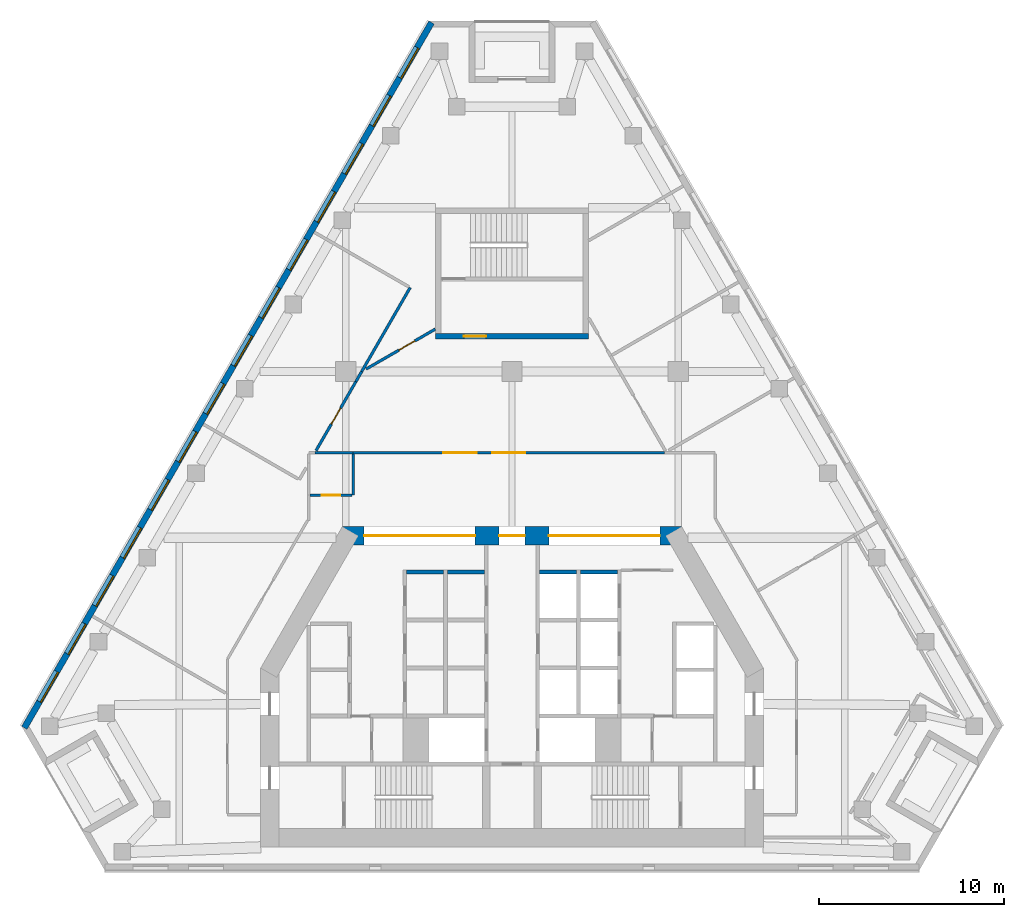
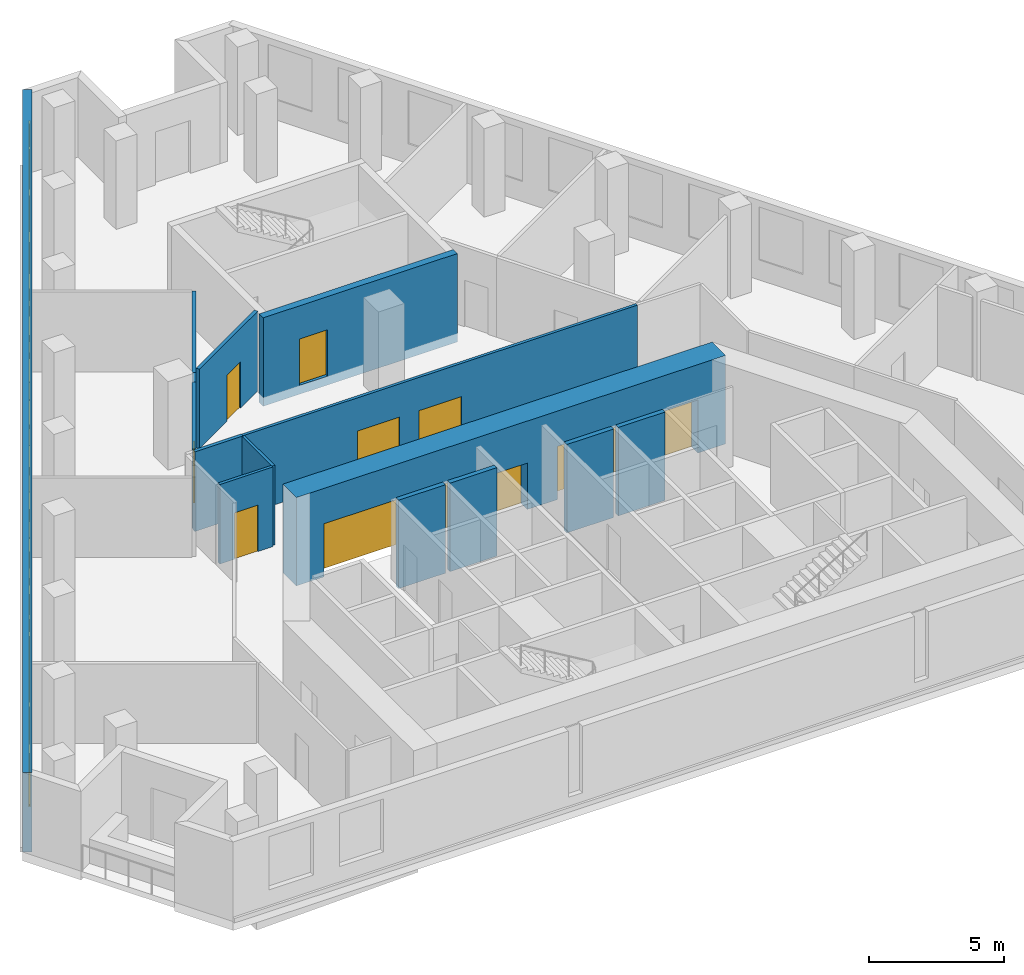
# One storey, part 4 of 8: 15 walls, 14 windows, 9 doors, 23 openings.
"""IFC4 building model written with IfcOpenShell, lengths in metres."""

from ifc_helpers import new_model, si_unit, direction, frame, frame_2d, origin, place, context, subcontext, project, spatial, rectangle, extrude, material, layer, layer_set, type_object, element, fill, save


model = new_model("IFC4")

# Units and contexts
model_context = context("Model", 3, precision=1e-05, world=origin(), true_north=direction((0.0, 1.0)))
body_context = subcontext(model_context, "Body", "Model", "MODEL_VIEW")
ifc_project = project(units=[si_unit("LENGTHUNIT", "METRE"), si_unit("AREAUNIT", "SQUARE_METRE"), si_unit("VOLUMEUNIT", "CUBIC_METRE"), si_unit("PLANEANGLEUNIT", "RADIAN"), si_unit("MASSUNIT", "GRAM", prefix="KILO")], contexts=[model_context])

# Site, building, storey
site_placement = place(None, origin())
site = spatial("IfcSite", under=ifc_project, at=site_placement, CompositionType="ELEMENT")
building_placement = place(site_placement, origin())
building = spatial("IfcBuilding", under=site, at=building_placement, Name="Fogline Exchange Tower", CompositionType="ELEMENT")
storey_placement = place(building_placement, frame((0.0, 0.0, 235.5)))
storey = spatial("IfcBuildingStorey", under=building, at=storey_placement, Name="L53", CompositionType="ELEMENT", Elevation=235.5)

# Walls
ifc_material_1 = material(Name="Concrete C40", Category="concrete")
ifc_layer_1 = layer(ifc_material_1, 0.199951171875)
ifc_layer_set_1 = layer_set([ifc_layer_1], Name="CW20S")
wall_type_1 = type_object("IfcWallType", Name="CW20S", PredefinedType="SOLIDWALL", material=ifc_layer_set_1)
for number, where, z_axis, x_axis, name in (
    (1, (-5.699951171875, 16.14990234375, -0.39990234375), (0.0, 0.0, 1.0), (1.0, 0.0, 0.0), "Lift shaft wall"),
    (2, (-3.5, 16.14990234375, -0.39990234375), (0.0, 0.0, 1.0), (1.0, 0.0, 0.0), "Lift shaft wall"),
    (3, (3.699951171875, 16.14990234375, -0.39990234375), (0.0, 0.0, 1.0), (1.0, 0.0, 0.0), "Lift shaft wall"),
    (4, (1.5, 16.14990234375, -0.39990234375), (0.0, 0.0, 1.0), (1.0, 0.0, 0.0), "Lift shaft wall"),
):
    element("IfcWall", number, at=place(storey_placement, frame(where, z_axis=z_axis, x_axis=x_axis)), inside=storey, type_object=wall_type_1, Name=name, PredefinedType="SOLIDWALL", context=body_context, shape_type="SweptSolid", body=[
        extrude(rectangle(XDim=2.0, YDim=0.199951171875, at=frame_2d((1.0, 0.0))), origin(), (0.0, 0.0, 1.0), 4.0),
    ])

# Wall, opening, door
ifc_layer_2 = layer(ifc_material_1, 0.300048828125)
ifc_layer_set_2 = layer_set([ifc_layer_2], Name="CW30")
wall_type_2 = type_object("IfcWallType", Name="CW30", PredefinedType="SOLIDWALL", material=ifc_layer_set_2)
wall_1_placement = place(storey_placement, frame((-4.14990234375, 28.906982421875, -0.39990234375), z_axis=(0.0, 0.0, 1.0), x_axis=(1.0, 0.0, 0.0)))
wall_1 = element("IfcWall", 5, at=wall_1_placement, inside=storey, type_object=wall_type_2, Name="Stair enclosure wall ST3", PredefinedType="SOLIDWALL", context=body_context, shape_type="SweptSolid", body=[
    extrude(rectangle(XDim=8.2998046875, YDim=0.300048828125, at=frame_2d((4.14990234375, 0.0))), origin(), (0.0, 0.0, 1.0), 4.0),
])
opening_1_placement = place(wall_1_placement, frame((1.550048828125, 0.0, 0.39990234375)))
opening_1 = element("IfcOpeningElement", 6, at=opening_1_placement, cuts=wall_1, Name="Opening T17-C025", PredefinedType="OPENING", context=body_context, shape_type="SweptSolid", body=[
    extrude(rectangle(XDim=1.199951171875, YDim=2.10009765625, at=frame_2d((0.60009765625, 1.050048828125))), frame((0.0, 0.16015625, 0.0), z_axis=(0.0, -1.0, 0.0), x_axis=(1.0, 0.0, 0.0)), (0.0, 0.0, 1.0), 0.320068359375),
])
ifc_material_2 = material(Name="Steel and timber fire door", Category="steel")
door_type_1 = type_object("IfcDoorType", Name="D-FR1", OperationType="SINGLE_SWING_RIGHT", PredefinedType="DOOR", material=ifc_material_2)
door_1_placement = place(opening_1_placement, origin())
door_1 = element("IfcDoor", 7, at=door_1_placement, inside=storey, type_object=door_type_1, Name="Front room door ST3", OperationType="SINGLE_SWING_LEFT", OverallHeight=2.10009765625, OverallWidth=1.199951171875, PredefinedType="DOOR", context=body_context, shape_type="SweptSolid", body=[
    extrude(rectangle(XDim=1.199951171875, YDim=2.10009765625, at=frame_2d((0.60009765625, 1.050048828125))), frame((0.0, 0.02490234375, 0.0), z_axis=(0.0, -1.0, 0.0), x_axis=(1.0, 0.0, 0.0)), (0.0, 0.0, 1.0), 0.050048828125),
])
fill(opening_1, door_1)

# Wall, openings, windows
ifc_material_3 = material(Name="Brick masonry", Category="masonry")
ifc_layer_3 = layer(ifc_material_3, 0.340087890625)
ifc_layer_set_3 = layer_set([ifc_layer_3], Name="FW1")
wall_type_3 = type_object("IfcWallType", Name="FW1", PredefinedType="SOLIDWALL", material=ifc_layer_set_3)
wall_2_placement = place(storey_placement, frame((-4.352783203125, 45.88671875, 0.0), z_axis=(0.0, 0.0, 1.0), x_axis=(-0.499999383836, -0.866025759527, 0.0)))
wall_2 = element("IfcWall", 8, at=wall_2_placement, inside=storey, type_object=wall_type_3, Name="Brick wall L53 W", PredefinedType="SOLIDWALL", context=body_context, shape_type="SweptSolid", body=[
    extrude(rectangle(XDim=44.08349609375, YDim=0.340087890625, at=frame_2d((22.041748046875, 0.0))), origin(), (0.0, 0.0, 1.0), 3.60009765625),
])
opening_2_placement = place(wall_2_placement, frame((1.5625, 0.0, 0.89990234375)))
opening_2 = element("IfcOpeningElement", 9, at=opening_2_placement, cuts=wall_2, Name="Opening W1", PredefinedType="OPENING", context=body_context, shape_type="SweptSolid", body=[
    extrude(rectangle(XDim=1.885009765625, YDim=2.39990234375, at=frame_2d((0.9423828125, 1.199951171875))), frame((0.0, 0.18017578125, 0.0), z_axis=(0.0, -1.0, 0.0), x_axis=(1.0, 0.0, 0.0)), (0.0, 0.0, 1.0), 0.360107421875),
])
opening_3_placement = place(wall_2_placement, frame((4.5625, 0.0, 0.89990234375)))
opening_3 = element("IfcOpeningElement", 10, at=opening_3_placement, cuts=wall_2, Name="Opening W1", PredefinedType="OPENING", context=body_context, shape_type="SweptSolid", body=[
    extrude(rectangle(XDim=1.885009765625, YDim=2.39990234375, at=frame_2d((0.9423828125, 1.199951171875))), frame((0.0, 0.18017578125, 0.0), z_axis=(0.0, -1.0, 0.0), x_axis=(1.0, 0.0, 0.0)), (0.0, 0.0, 1.0), 0.360107421875),
])
opening_4_placement = place(wall_2_placement, frame((7.5625, 0.0, 0.89990234375)))
opening_4 = element("IfcOpeningElement", 11, at=opening_4_placement, cuts=wall_2, Name="Opening W1", PredefinedType="OPENING", context=body_context, shape_type="SweptSolid", body=[
    extrude(rectangle(XDim=1.885009765625, YDim=2.39990234375, at=frame_2d((0.9423828125, 1.199951171875))), frame((0.0, 0.18017578125, 0.0), z_axis=(0.0, -1.0, 0.0), x_axis=(1.0, 0.0, 0.0)), (0.0, 0.0, 1.0), 0.360107421875),
])
opening_5_placement = place(wall_2_placement, frame((10.5625, 0.0, 0.89990234375)))
opening_5 = element("IfcOpeningElement", 12, at=opening_5_placement, cuts=wall_2, Name="Opening W1", PredefinedType="OPENING", context=body_context, shape_type="SweptSolid", body=[
    extrude(rectangle(XDim=1.885009765625, YDim=2.39990234375, at=frame_2d((0.9423828125, 1.199951171875))), frame((0.0, 0.18017578125, 0.0), z_axis=(0.0, -1.0, 0.0), x_axis=(1.0, 0.0, 0.0)), (0.0, 0.0, 1.0), 0.360107421875),
])
opening_6_placement = place(wall_2_placement, frame((13.5625, 0.0, 0.89990234375)))
opening_6 = element("IfcOpeningElement", 13, at=opening_6_placement, cuts=wall_2, Name="Opening W1", PredefinedType="OPENING", context=body_context, shape_type="SweptSolid", body=[
    extrude(rectangle(XDim=1.885009765625, YDim=2.39990234375, at=frame_2d((0.9423828125, 1.199951171875))), frame((0.0, 0.18017578125, 0.0), z_axis=(0.0, -1.0, 0.0), x_axis=(1.0, 0.0, 0.0)), (0.0, 0.0, 1.0), 0.360107421875),
])
opening_7_placement = place(wall_2_placement, frame((16.5625, 0.0, 0.89990234375)))
opening_7 = element("IfcOpeningElement", 14, at=opening_7_placement, cuts=wall_2, Name="Opening W1", PredefinedType="OPENING", context=body_context, shape_type="SweptSolid", body=[
    extrude(rectangle(XDim=1.885009765625, YDim=2.39990234375, at=frame_2d((0.9423828125, 1.199951171875))), frame((0.0, 0.18017578125, 0.0), z_axis=(0.0, -1.0, 0.0), x_axis=(1.0, 0.0, 0.0)), (0.0, 0.0, 1.0), 0.360107421875),
])
opening_8_placement = place(wall_2_placement, frame((19.5625, 0.0, 0.89990234375)))
opening_8 = element("IfcOpeningElement", 15, at=opening_8_placement, cuts=wall_2, Name="Opening W1", PredefinedType="OPENING", context=body_context, shape_type="SweptSolid", body=[
    extrude(rectangle(XDim=1.885009765625, YDim=2.39990234375, at=frame_2d((0.9423828125, 1.199951171875))), frame((0.0, 0.18017578125, 0.0), z_axis=(0.0, -1.0, 0.0), x_axis=(1.0, 0.0, 0.0)), (0.0, 0.0, 1.0), 0.360107421875),
])
opening_9_placement = place(wall_2_placement, frame((22.5625, 0.0, 0.89990234375)))
opening_9 = element("IfcOpeningElement", 16, at=opening_9_placement, cuts=wall_2, Name="Opening W1", PredefinedType="OPENING", context=body_context, shape_type="SweptSolid", body=[
    extrude(rectangle(XDim=1.885009765625, YDim=2.39990234375, at=frame_2d((0.9423828125, 1.199951171875))), frame((0.0, 0.18017578125, 0.0), z_axis=(0.0, -1.0, 0.0), x_axis=(1.0, 0.0, 0.0)), (0.0, 0.0, 1.0), 0.360107421875),
])
opening_10_placement = place(wall_2_placement, frame((25.5625, 0.0, 0.89990234375)))
opening_10 = element("IfcOpeningElement", 17, at=opening_10_placement, cuts=wall_2, Name="Opening W1", PredefinedType="OPENING", context=body_context, shape_type="SweptSolid", body=[
    extrude(rectangle(XDim=1.885009765625, YDim=2.39990234375, at=frame_2d((0.9423828125, 1.199951171875))), frame((0.0, 0.18017578125, 0.0), z_axis=(0.0, -1.0, 0.0), x_axis=(1.0, 0.0, 0.0)), (0.0, 0.0, 1.0), 0.360107421875),
])
opening_11_placement = place(wall_2_placement, frame((28.5625, 0.0, 0.89990234375)))
opening_11 = element("IfcOpeningElement", 18, at=opening_11_placement, cuts=wall_2, Name="Opening W1", PredefinedType="OPENING", context=body_context, shape_type="SweptSolid", body=[
    extrude(rectangle(XDim=1.885009765625, YDim=2.39990234375, at=frame_2d((0.9423828125, 1.199951171875))), frame((0.0, 0.18017578125, 0.0), z_axis=(0.0, -1.0, 0.0), x_axis=(1.0, 0.0, 0.0)), (0.0, 0.0, 1.0), 0.360107421875),
])
opening_12_placement = place(wall_2_placement, frame((31.5625, 0.0, 0.89990234375)))
opening_12 = element("IfcOpeningElement", 19, at=opening_12_placement, cuts=wall_2, Name="Opening W1", PredefinedType="OPENING", context=body_context, shape_type="SweptSolid", body=[
    extrude(rectangle(XDim=1.885009765625, YDim=2.39990234375, at=frame_2d((0.9423828125, 1.199951171875))), frame((0.0, 0.18017578125, 0.0), z_axis=(0.0, -1.0, 0.0), x_axis=(1.0, 0.0, 0.0)), (0.0, 0.0, 1.0), 0.360107421875),
])
opening_13_placement = place(wall_2_placement, frame((34.5625, 0.0, 0.89990234375)))
opening_13 = element("IfcOpeningElement", 20, at=opening_13_placement, cuts=wall_2, Name="Opening W1", PredefinedType="OPENING", context=body_context, shape_type="SweptSolid", body=[
    extrude(rectangle(XDim=1.885009765625, YDim=2.39990234375, at=frame_2d((0.9423828125, 1.199951171875))), frame((0.0, 0.18017578125, 0.0), z_axis=(0.0, -1.0, 0.0), x_axis=(1.0, 0.0, 0.0)), (0.0, 0.0, 1.0), 0.360107421875),
])
opening_14_placement = place(wall_2_placement, frame((37.5625, 0.0, 0.89990234375)))
opening_14 = element("IfcOpeningElement", 21, at=opening_14_placement, cuts=wall_2, Name="Opening W1", PredefinedType="OPENING", context=body_context, shape_type="SweptSolid", body=[
    extrude(rectangle(XDim=1.885009765625, YDim=2.39990234375, at=frame_2d((0.9423828125, 1.199951171875))), frame((0.0, 0.18017578125, 0.0), z_axis=(0.0, -1.0, 0.0), x_axis=(1.0, 0.0, 0.0)), (0.0, 0.0, 1.0), 0.360107421875),
])
opening_15_placement = place(wall_2_placement, frame((40.5625, 0.0, 0.89990234375)))
opening_15 = element("IfcOpeningElement", 22, at=opening_15_placement, cuts=wall_2, Name="Opening W1", PredefinedType="OPENING", context=body_context, shape_type="SweptSolid", body=[
    extrude(rectangle(XDim=1.885009765625, YDim=2.39990234375, at=frame_2d((0.9423828125, 1.199951171875))), frame((0.0, 0.18017578125, 0.0), z_axis=(0.0, -1.0, 0.0), x_axis=(1.0, 0.0, 0.0)), (0.0, 0.0, 1.0), 0.360107421875),
])
ifc_material_4 = material(Name="Aluminium and glass", Category="aluminium")
window_type = type_object("IfcWindowType", Name="W1", PartitioningType="SINGLE_PANEL", PredefinedType="WINDOW", material=ifc_material_4)
window_1_placement = place(opening_2_placement, origin())
window_1 = element("IfcWindow", 23, at=window_1_placement, inside=storey, type_object=window_type, Name="W1 W1", OverallHeight=2.39990234375, OverallWidth=1.885009765625, PartitioningType="SINGLE_PANEL", PredefinedType="WINDOW", context=body_context, shape_type="SweptSolid", body=[
    extrude(rectangle(XDim=1.885009765625, YDim=2.39990234375, at=frame_2d((0.9423828125, 1.199951171875))), frame((0.0, 0.110107421875, 0.0), z_axis=(0.0, -1.0, 0.0), x_axis=(1.0, 0.0, 0.0)), (0.0, 0.0, 1.0), 0.06005859375),
])
fill(opening_2, window_1)
window_2_placement = place(opening_3_placement, origin())
window_2 = element("IfcWindow", 24, at=window_2_placement, inside=storey, type_object=window_type, Name="W1 W1", OverallHeight=2.39990234375, OverallWidth=1.885009765625, PartitioningType="SINGLE_PANEL", PredefinedType="WINDOW", context=body_context, shape_type="SweptSolid", body=[
    extrude(rectangle(XDim=1.885009765625, YDim=2.39990234375, at=frame_2d((0.9423828125, 1.199951171875))), frame((0.0, 0.110107421875, 0.0), z_axis=(0.0, -1.0, 0.0), x_axis=(1.0, 0.0, 0.0)), (0.0, 0.0, 1.0), 0.06005859375),
])
fill(opening_3, window_2)
window_3_placement = place(opening_4_placement, origin())
window_3 = element("IfcWindow", 25, at=window_3_placement, inside=storey, type_object=window_type, Name="W1 W1", OverallHeight=2.39990234375, OverallWidth=1.885009765625, PartitioningType="SINGLE_PANEL", PredefinedType="WINDOW", context=body_context, shape_type="SweptSolid", body=[
    extrude(rectangle(XDim=1.885009765625, YDim=2.39990234375, at=frame_2d((0.9423828125, 1.199951171875))), frame((0.0, 0.110107421875, 0.0), z_axis=(0.0, -1.0, 0.0), x_axis=(1.0, 0.0, 0.0)), (0.0, 0.0, 1.0), 0.06005859375),
])
fill(opening_4, window_3)
window_4_placement = place(opening_5_placement, origin())
window_4 = element("IfcWindow", 26, at=window_4_placement, inside=storey, type_object=window_type, Name="W1 W1", OverallHeight=2.39990234375, OverallWidth=1.885009765625, PartitioningType="SINGLE_PANEL", PredefinedType="WINDOW", context=body_context, shape_type="SweptSolid", body=[
    extrude(rectangle(XDim=1.885009765625, YDim=2.39990234375, at=frame_2d((0.9423828125, 1.199951171875))), frame((0.0, 0.110107421875, 0.0), z_axis=(0.0, -1.0, 0.0), x_axis=(1.0, 0.0, 0.0)), (0.0, 0.0, 1.0), 0.06005859375),
])
fill(opening_5, window_4)
window_5_placement = place(opening_6_placement, origin())
window_5 = element("IfcWindow", 27, at=window_5_placement, inside=storey, type_object=window_type, Name="W1 W1", OverallHeight=2.39990234375, OverallWidth=1.885009765625, PartitioningType="SINGLE_PANEL", PredefinedType="WINDOW", context=body_context, shape_type="SweptSolid", body=[
    extrude(rectangle(XDim=1.885009765625, YDim=2.39990234375, at=frame_2d((0.9423828125, 1.199951171875))), frame((0.0, 0.110107421875, 0.0), z_axis=(0.0, -1.0, 0.0), x_axis=(1.0, 0.0, 0.0)), (0.0, 0.0, 1.0), 0.06005859375),
])
fill(opening_6, window_5)
window_6_placement = place(opening_7_placement, origin())
window_6 = element("IfcWindow", 28, at=window_6_placement, inside=storey, type_object=window_type, Name="W1 W1", OverallHeight=2.39990234375, OverallWidth=1.885009765625, PartitioningType="SINGLE_PANEL", PredefinedType="WINDOW", context=body_context, shape_type="SweptSolid", body=[
    extrude(rectangle(XDim=1.885009765625, YDim=2.39990234375, at=frame_2d((0.9423828125, 1.199951171875))), frame((0.0, 0.110107421875, 0.0), z_axis=(0.0, -1.0, 0.0), x_axis=(1.0, 0.0, 0.0)), (0.0, 0.0, 1.0), 0.06005859375),
])
fill(opening_7, window_6)
window_7_placement = place(opening_8_placement, origin())
window_7 = element("IfcWindow", 29, at=window_7_placement, inside=storey, type_object=window_type, Name="W1 W1", OverallHeight=2.39990234375, OverallWidth=1.885009765625, PartitioningType="SINGLE_PANEL", PredefinedType="WINDOW", context=body_context, shape_type="SweptSolid", body=[
    extrude(rectangle(XDim=1.885009765625, YDim=2.39990234375, at=frame_2d((0.9423828125, 1.199951171875))), frame((0.0, 0.110107421875, 0.0), z_axis=(0.0, -1.0, 0.0), x_axis=(1.0, 0.0, 0.0)), (0.0, 0.0, 1.0), 0.06005859375),
])
fill(opening_8, window_7)
window_8_placement = place(opening_9_placement, origin())
window_8 = element("IfcWindow", 30, at=window_8_placement, inside=storey, type_object=window_type, Name="W1 W1", OverallHeight=2.39990234375, OverallWidth=1.885009765625, PartitioningType="SINGLE_PANEL", PredefinedType="WINDOW", context=body_context, shape_type="SweptSolid", body=[
    extrude(rectangle(XDim=1.885009765625, YDim=2.39990234375, at=frame_2d((0.9423828125, 1.199951171875))), frame((0.0, 0.110107421875, 0.0), z_axis=(0.0, -1.0, 0.0), x_axis=(1.0, 0.0, 0.0)), (0.0, 0.0, 1.0), 0.06005859375),
])
fill(opening_9, window_8)
window_9_placement = place(opening_10_placement, origin())
window_9 = element("IfcWindow", 31, at=window_9_placement, inside=storey, type_object=window_type, Name="W1 W1", OverallHeight=2.39990234375, OverallWidth=1.885009765625, PartitioningType="SINGLE_PANEL", PredefinedType="WINDOW", context=body_context, shape_type="SweptSolid", body=[
    extrude(rectangle(XDim=1.885009765625, YDim=2.39990234375, at=frame_2d((0.9423828125, 1.199951171875))), frame((0.0, 0.110107421875, 0.0), z_axis=(0.0, -1.0, 0.0), x_axis=(1.0, 0.0, 0.0)), (0.0, 0.0, 1.0), 0.06005859375),
])
fill(opening_10, window_9)
window_10_placement = place(opening_11_placement, origin())
window_10 = element("IfcWindow", 32, at=window_10_placement, inside=storey, type_object=window_type, Name="W1 W1", OverallHeight=2.39990234375, OverallWidth=1.885009765625, PartitioningType="SINGLE_PANEL", PredefinedType="WINDOW", context=body_context, shape_type="SweptSolid", body=[
    extrude(rectangle(XDim=1.885009765625, YDim=2.39990234375, at=frame_2d((0.9423828125, 1.199951171875))), frame((0.0, 0.110107421875, 0.0), z_axis=(0.0, -1.0, 0.0), x_axis=(1.0, 0.0, 0.0)), (0.0, 0.0, 1.0), 0.06005859375),
])
fill(opening_11, window_10)
window_11_placement = place(opening_12_placement, origin())
window_11 = element("IfcWindow", 33, at=window_11_placement, inside=storey, type_object=window_type, Name="W1 W1", OverallHeight=2.39990234375, OverallWidth=1.885009765625, PartitioningType="SINGLE_PANEL", PredefinedType="WINDOW", context=body_context, shape_type="SweptSolid", body=[
    extrude(rectangle(XDim=1.885009765625, YDim=2.39990234375, at=frame_2d((0.9423828125, 1.199951171875))), frame((0.0, 0.110107421875, 0.0), z_axis=(0.0, -1.0, 0.0), x_axis=(1.0, 0.0, 0.0)), (0.0, 0.0, 1.0), 0.06005859375),
])
fill(opening_12, window_11)
window_12_placement = place(opening_13_placement, origin())
window_12 = element("IfcWindow", 34, at=window_12_placement, inside=storey, type_object=window_type, Name="W1 W1", OverallHeight=2.39990234375, OverallWidth=1.885009765625, PartitioningType="SINGLE_PANEL", PredefinedType="WINDOW", context=body_context, shape_type="SweptSolid", body=[
    extrude(rectangle(XDim=1.885009765625, YDim=2.39990234375, at=frame_2d((0.9423828125, 1.199951171875))), frame((0.0, 0.110107421875, 0.0), z_axis=(0.0, -1.0, 0.0), x_axis=(1.0, 0.0, 0.0)), (0.0, 0.0, 1.0), 0.06005859375),
])
fill(opening_13, window_12)
window_13_placement = place(opening_14_placement, origin())
window_13 = element("IfcWindow", 35, at=window_13_placement, inside=storey, type_object=window_type, Name="W1 W1", OverallHeight=2.39990234375, OverallWidth=1.885009765625, PartitioningType="SINGLE_PANEL", PredefinedType="WINDOW", context=body_context, shape_type="SweptSolid", body=[
    extrude(rectangle(XDim=1.885009765625, YDim=2.39990234375, at=frame_2d((0.9423828125, 1.199951171875))), frame((0.0, 0.110107421875, 0.0), z_axis=(0.0, -1.0, 0.0), x_axis=(1.0, 0.0, 0.0)), (0.0, 0.0, 1.0), 0.06005859375),
])
fill(opening_14, window_13)
window_14_placement = place(opening_15_placement, origin())
window_14 = element("IfcWindow", 36, at=window_14_placement, inside=storey, type_object=window_type, Name="W1 W1", OverallHeight=2.39990234375, OverallWidth=1.885009765625, PartitioningType="SINGLE_PANEL", PredefinedType="WINDOW", context=body_context, shape_type="SweptSolid", body=[
    extrude(rectangle(XDim=1.885009765625, YDim=2.39990234375, at=frame_2d((0.9423828125, 1.199951171875))), frame((0.0, 0.110107421875, 0.0), z_axis=(0.0, -1.0, 0.0), x_axis=(1.0, 0.0, 0.0)), (0.0, 0.0, 1.0), 0.06005859375),
])
fill(opening_15, window_14)

# Wall, openings, doors
ifc_material_5 = material(Name="Plasterboard corridor partition with mineral wool, 2 layers each side")
ifc_layer_4 = layer(ifc_material_5, 0.125)
ifc_layer_set_4 = layer_set([ifc_layer_4], Name="PW2")
wall_type_4 = type_object("IfcWallType", Name="PW2", PredefinedType="PARTITIONING", material=ifc_layer_set_4)
wall_3_placement = place(storey_placement, frame((-8.60009765625, 22.60009765625, 0.0), z_axis=(0.0, 0.0, 1.0), x_axis=(1.0, 0.0, 0.0)))
wall_3 = element("IfcWall", 37, at=wall_3_placement, inside=storey, type_object=wall_type_4, Name="wall-L53-W007", PredefinedType="PARTITIONING", context=body_context, shape_type="SweptSolid", body=[
    extrude(rectangle(XDim=16.859375, YDim=0.125, at=frame_2d((8.4296875, 0.0))), origin(), (0.0, 0.0, 1.0), 3.60009765625),
])
opening_16_placement = place(wall_3_placement, frame((4.882568359375, 0.0, 0.0)))
opening_16 = element("IfcOpeningElement", 38, at=opening_16_placement, cuts=wall_3, Name="Opening T17-D002", PredefinedType="OPENING", context=body_context, shape_type="SweptSolid", body=[
    extrude(rectangle(XDim=1.800048828125, YDim=2.10009765625, at=frame_2d((0.89990234375, 1.050048828125))), frame((0.0, 0.072509765625, 0.0), z_axis=(0.0, -1.0, 0.0), x_axis=(1.0, 0.0, 0.0)), (0.0, 0.0, 1.0), 0.14501953125),
])
opening_17_placement = place(wall_3_placement, frame((7.529541015625, 0.0, 0.0)))
opening_17 = element("IfcOpeningElement", 39, at=opening_17_placement, cuts=wall_3, Name="Opening T17-D003", PredefinedType="OPENING", context=body_context, shape_type="SweptSolid", body=[
    extrude(rectangle(XDim=1.800048828125, YDim=2.10009765625, at=frame_2d((0.89990234375, 1.050048828125))), frame((0.0, 0.072509765625, 0.0), z_axis=(0.0, -1.0, 0.0), x_axis=(1.0, 0.0, 0.0)), (0.0, 0.0, 1.0), 0.14501953125),
])
ifc_material_6 = material(Name="Fire-rated timber door leaves with steel frame", Category="steel")
door_type_2 = type_object("IfcDoorType", Name="D4", OperationType="DOUBLE_DOOR_SINGLE_SWING", PredefinedType="DOOR", material=ifc_material_6)
door_2_placement = place(opening_16_placement, frame((1.800048828125, 0.0, 0.0), z_axis=(0.0, 0.0, 1.0), x_axis=(-1.0, 0.0, 0.0)))
door_2 = element("IfcDoor", 40, at=door_2_placement, inside=storey, type_object=door_type_2, Name="door-L53-D002", OperationType="DOUBLE_DOOR_SINGLE_SWING", OverallHeight=2.10009765625, OverallWidth=1.800048828125, PredefinedType="DOOR", context=body_context, shape_type="SweptSolid", body=[
    extrude(rectangle(XDim=1.800048828125, YDim=2.10009765625, at=frame_2d((0.89990234375, 1.050048828125))), frame((0.0, 0.02490234375, 0.0), z_axis=(0.0, -1.0, 0.0), x_axis=(1.0, 0.0, 0.0)), (0.0, 0.0, 1.0), 0.050048828125),
])
fill(opening_16, door_2)
door_3_placement = place(opening_17_placement, frame((1.800048828125, 0.0, 0.0), z_axis=(0.0, 0.0, 1.0), x_axis=(-1.0, 0.0, 0.0)))
door_3 = element("IfcDoor", 41, at=door_3_placement, inside=storey, type_object=door_type_2, Name="door-L53-D003", OperationType="DOUBLE_DOOR_SINGLE_SWING", OverallHeight=2.10009765625, OverallWidth=1.800048828125, PredefinedType="DOOR", context=body_context, shape_type="SweptSolid", body=[
    extrude(rectangle(XDim=1.800048828125, YDim=2.10009765625, at=frame_2d((0.89990234375, 1.050048828125))), frame((0.0, 0.02490234375, 0.0), z_axis=(0.0, -1.0, 0.0), x_axis=(1.0, 0.0, 0.0)), (0.0, 0.0, 1.0), 0.050048828125),
])
fill(opening_17, door_3)

# Wall, opening, door
wall_4_placement = place(storey_placement, frame((-10.925048828125, 20.300048828125, 0.0), z_axis=(0.0, 0.0, 1.0), x_axis=(1.0, 0.0, 0.0)))
wall_4 = element("IfcWall", 42, at=wall_4_placement, inside=storey, type_object=wall_type_4, Name="wall-L53-W008", PredefinedType="PARTITIONING", context=body_context, shape_type="SweptSolid", body=[
    extrude(rectangle(XDim=2.262451171875, YDim=0.125, at=frame_2d((1.13134765625, 0.0))), origin(), (0.0, 0.0, 1.0), 3.60009765625),
])
opening_18_placement = place(wall_4_placement, frame((0.63134765625, 0.0, 0.0)))
opening_18 = element("IfcOpeningElement", 43, at=opening_18_placement, cuts=wall_4, Name="Opening T17-D004", PredefinedType="OPENING", context=body_context, shape_type="SweptSolid", body=[
    extrude(rectangle(XDim=1.0, YDim=2.10009765625, at=frame_2d((0.5, 1.050048828125))), frame((0.0, 0.072509765625, 0.0), z_axis=(0.0, -1.0, 0.0), x_axis=(1.0, 0.0, 0.0)), (0.0, 0.0, 1.0), 0.14501953125),
])
ifc_material_7 = material(Name="Fire-rated timber door leaf with steel frame", Category="steel")
door_type_3 = type_object("IfcDoorType", Name="D3", OperationType="SINGLE_SWING_LEFT", PredefinedType="DOOR", material=ifc_material_7)
door_4_placement = place(opening_18_placement, origin())
door_4 = element("IfcDoor", 44, at=door_4_placement, inside=storey, type_object=door_type_3, Name="door-L53-D004", OperationType="SINGLE_SWING_LEFT", OverallHeight=2.10009765625, OverallWidth=1.0, PredefinedType="DOOR", context=body_context, shape_type="SweptSolid", body=[
    extrude(rectangle(XDim=1.0, YDim=2.10009765625, at=frame_2d((0.5, 1.050048828125))), frame((0.0, 0.02490234375, 0.0), z_axis=(0.0, -1.0, 0.0), x_axis=(1.0, 0.0, 0.0)), (0.0, 0.0, 1.0), 0.050048828125),
])
fill(opening_18, door_4)

# Wall
wall_5_placement = place(storey_placement, frame((-8.60009765625, 20.300048828125, 0.0), z_axis=(0.0, 0.0, 1.0), x_axis=(0.0, 1.0, 0.0)))
element("IfcWall", 45, at=wall_5_placement, inside=storey, type_object=wall_type_4, Name="wall-L53-W009", PredefinedType="PARTITIONING", context=body_context, shape_type="SweptSolid", body=[
    extrude(rectangle(XDim=2.224365234375, YDim=0.125, at=frame_2d((1.1123046875, 0.0))), origin(), (0.0, 0.0, 1.0), 3.60009765625),
])

# Wall, opening, door
ifc_material_8 = material(Name="Plasterboard demising partition with mineral wool and acoustic board")
ifc_layer_5 = layer(ifc_material_8, 0.14990234375)
ifc_layer_set_5 = layer_set([ifc_layer_5], Name="PW3")
wall_type_5 = type_object("IfcWallType", Name="PW3", PredefinedType="PARTITIONING", material=ifc_layer_set_5)
wall_6_placement = place(storey_placement, frame((-4.14990234375, 29.2919921875, 0.0), z_axis=(0.0, 0.0, 1.0), x_axis=(-0.866022044088, -0.50000581912, 0.0)))
wall_6 = element("IfcWall", 46, at=wall_6_placement, inside=storey, type_object=wall_type_5, Name="wall-L53-W023", PredefinedType="PARTITIONING", context=body_context, shape_type="SweptSolid", body=[
    extrude(rectangle(XDim=4.32568359375, YDim=0.14990234375, at=frame_2d((2.162841796875, 0.0))), origin(), (0.0, 0.0, 1.0), 3.60009765625),
])
opening_19_placement = place(wall_6_placement, frame((1.277587890625, 0.0, 0.0)))
opening_19 = element("IfcOpeningElement", 47, at=opening_19_placement, cuts=wall_6, Name="Opening T17-D010", PredefinedType="OPENING", context=body_context, shape_type="SweptSolid", body=[
    extrude(rectangle(XDim=1.0, YDim=2.10009765625, at=frame_2d((0.5, 1.050048828125))), frame((0.0, 0.0849609375, 0.0), z_axis=(0.0, -1.0, 0.0), x_axis=(1.0, 0.0, 0.0)), (0.0, 0.0, 1.0), 0.169921875),
])
door_5_placement = place(opening_19_placement, frame((1.0, 0.0, 0.0), z_axis=(0.0, 0.0, 1.0), x_axis=(-1.0, 0.0, 0.0)))
door_5 = element("IfcDoor", 48, at=door_5_placement, inside=storey, type_object=door_type_3, Name="door-L53-D010", OperationType="SINGLE_SWING_RIGHT", OverallHeight=2.10009765625, OverallWidth=1.0, PredefinedType="DOOR", context=body_context, shape_type="SweptSolid", body=[
    extrude(rectangle(XDim=1.0, YDim=2.10009765625, at=frame_2d((0.5, 1.050048828125))), frame((0.0, 0.02490234375, 0.0), z_axis=(0.0, -1.0, 0.0), x_axis=(1.0, 0.0, 0.0)), (0.0, 0.0, 1.0), 0.050048828125),
])
fill(opening_19, door_5)

# Wall
wall_7_placement = place(storey_placement, frame((-8.138916015625, 26.989013671875, 0.0), z_axis=(0.0, 0.0, 1.0), x_axis=(0.500017439519, 0.866015334839, 0.0)))
element("IfcWall", 49, at=wall_7_placement, inside=storey, type_object=wall_type_5, Name="wall-L53-W024", PredefinedType="PARTITIONING", context=body_context, shape_type="SweptSolid", body=[
    extrude(rectangle(XDim=5.253662109375, YDim=0.14990234375, at=frame_2d((2.626953125, 0.0))), origin(), (0.0, 0.0, 1.0), 3.60009765625),
])

# Wall, opening, door
wall_8_placement = place(storey_placement, frame((-10.607666015625, 22.712890625, 0.0), z_axis=(0.0, 0.0, 1.0), x_axis=(0.50002119175, 0.866013168376, 0.0)))
wall_8 = element("IfcWall", 50, at=wall_8_placement, inside=storey, type_object=wall_type_5, Name="wall-L53-W026", PredefinedType="PARTITIONING", context=body_context, shape_type="SweptSolid", body=[
    extrude(rectangle(XDim=4.315185546875, YDim=0.14990234375, at=frame_2d((2.15771484375, 0.0))), origin(), (0.0, 0.0, 1.0), 3.60009765625),
])
opening_20_placement = place(wall_8_placement, frame((1.65771484375, 0.0, 0.0)))
opening_20 = element("IfcOpeningElement", 51, at=opening_20_placement, cuts=wall_8, Name="Opening T17-D011", PredefinedType="OPENING", context=body_context, shape_type="SweptSolid", body=[
    extrude(rectangle(XDim=1.0, YDim=2.10009765625, at=frame_2d((0.5, 1.050048828125))), frame((0.0, 0.0849609375, 0.0), z_axis=(0.0, -1.0, 0.0), x_axis=(1.0, 0.0, 0.0)), (0.0, 0.0, 1.0), 0.169921875),
])
door_6_placement = place(opening_20_placement, origin())
door_6 = element("IfcDoor", 52, at=door_6_placement, inside=storey, type_object=door_type_3, Name="door-L53-D011", OperationType="SINGLE_SWING_RIGHT", OverallHeight=2.10009765625, OverallWidth=1.0, PredefinedType="DOOR", context=body_context, shape_type="SweptSolid", body=[
    extrude(rectangle(XDim=1.0, YDim=2.10009765625, at=frame_2d((0.5, 1.050048828125))), frame((0.0, 0.02490234375, 0.0), z_axis=(0.0, -1.0, 0.0), x_axis=(1.0, 0.0, 0.0)), (0.0, 0.0, 1.0), 0.050048828125),
])
fill(opening_20, door_6)

# Walls
wall_9_placement = place(storey_placement, frame((-8.449951171875, 26.4501953125, 0.0), z_axis=(0.0, 0.0, 1.0), x_axis=(0.499937591627, 0.866061432277, 0.0)))
element("IfcWall", 53, at=wall_9_placement, inside=storey, type_object=wall_type_5, Name="wall-L53-W027", PredefinedType="PARTITIONING", context=body_context, shape_type="SweptSolid", body=[
    extrude(rectangle(XDim=0.6220703125, YDim=0.14990234375, at=frame_2d((0.31103515625, 0.0))), origin(), (0.0, 0.0, 1.0), 3.60009765625),
])
wall_10_placement = place(storey_placement, frame((-8.60009765625, 22.60009765625, 0.0), z_axis=(0.0, 0.0, 1.0), x_axis=(-1.0, 0.0, 0.0)))
element("IfcWall", 54, at=wall_10_placement, inside=storey, type_object=wall_type_5, Name="wall-L53-W028", PredefinedType="PARTITIONING", context=body_context, shape_type="SweptSolid", body=[
    extrude(rectangle(XDim=2.07275390625, YDim=0.14990234375, at=frame_2d((1.036376953125, 0.0))), origin(), (0.0, 0.0, 1.0), 3.60009765625),
])

# Wall, openings, doors
ifc_material_9 = material(Name="Concrete C60", Category="concrete")
ifc_layer_6 = layer(ifc_material_9, 1.0)
ifc_layer_set_6 = layer_set([ifc_layer_6], Name="SW03")
wall_type_6 = type_object("IfcWallType", Name="SW03", PredefinedType="SHEAR", material=ifc_layer_set_6)
wall_11_placement = place(storey_placement, frame((9.1806640625, 18.10009765625, 0.0), z_axis=(0.0, 0.0, 1.0), x_axis=(-1.0, 0.0, 0.0)))
wall_11 = element("IfcWall", 55, at=wall_11_placement, inside=storey, type_object=wall_type_6, Name="L53-W904", PredefinedType="SHEAR", context=body_context, shape_type="SweptSolid", body=[
    extrude(rectangle(XDim=18.361328125, YDim=1.0, at=frame_2d((9.1806640625, 0.0))), origin(), (0.0, 0.0, 1.0), 4.0),
])
opening_21_placement = place(wall_11_placement, frame((8.480712890625, 0.0, 0.0)))
opening_21 = element("IfcOpeningElement", 56, at=opening_21_placement, cuts=wall_11, Name="Opening T17-C022", PredefinedType="OPENING", context=body_context, shape_type="SweptSolid", body=[
    extrude(rectangle(XDim=1.39990234375, YDim=2.10009765625, at=frame_2d((0.699951171875, 1.050048828125))), frame((0.0, 0.510009765625, 0.0), z_axis=(0.0, -1.0, 0.0), x_axis=(1.0, 0.0, 0.0)), (0.0, 0.0, 1.0), 1.02001953125),
])
opening_22_placement = place(wall_11_placement, frame((11.1806640625, 0.0, 0.0)))
opening_22 = element("IfcOpeningElement", 57, at=opening_22_placement, cuts=wall_11, Name="Opening T17-C023", PredefinedType="OPENING", context=body_context, shape_type="SweptSolid", body=[
    extrude(rectangle(XDim=6.0, YDim=2.39990234375, at=frame_2d((3.0, 1.199951171875))), frame((0.0, 0.510009765625, 0.0), z_axis=(0.0, -1.0, 0.0), x_axis=(1.0, 0.0, 0.0)), (0.0, 0.0, 1.0), 1.02001953125),
])
opening_23_placement = place(wall_11_placement, frame((1.1806640625, 0.0, 0.0)))
opening_23 = element("IfcOpeningElement", 58, at=opening_23_placement, cuts=wall_11, Name="Opening T17-C024", PredefinedType="OPENING", context=body_context, shape_type="SweptSolid", body=[
    extrude(rectangle(XDim=6.0, YDim=2.39990234375, at=frame_2d((3.0, 1.199951171875))), frame((0.0, 0.510009765625, 0.0), z_axis=(0.0, -1.0, 0.0), x_axis=(1.0, 0.0, 0.0)), (0.0, 0.0, 1.0), 1.02001953125),
])
door_type_4 = type_object("IfcDoorType", Name="D-LB1", OperationType="DOUBLE_DOOR_SINGLE_SWING", PredefinedType="DOOR", material=ifc_material_2)
door_7_placement = place(opening_21_placement, origin())
door_7 = element("IfcDoor", 59, at=door_7_placement, inside=storey, type_object=door_type_4, Name="Protected lobby door", OperationType="DOUBLE_DOOR_SINGLE_SWING", OverallHeight=2.10009765625, OverallWidth=1.39990234375, PredefinedType="DOOR", context=body_context, shape_type="SweptSolid", body=[
    extrude(rectangle(XDim=1.39990234375, YDim=2.10009765625, at=frame_2d((0.699951171875, 1.050048828125))), frame((0.0, 0.02490234375, 0.0), z_axis=(0.0, -1.0, 0.0), x_axis=(1.0, 0.0, 0.0)), (0.0, 0.0, 1.0), 0.050048828125),
])
fill(opening_21, door_7)
door_type_5 = type_object("IfcDoorType", Name="D-LE1", OperationType="DOUBLE_DOOR_SLIDING", PredefinedType="DOOR", material=ifc_material_2)
door_8_placement = place(opening_22_placement, origin())
door_8 = element("IfcDoor", 60, at=door_8_placement, inside=storey, type_object=door_type_5, Name="Lift lobby entrance west", OperationType="DOUBLE_DOOR_SLIDING", OverallHeight=2.39990234375, OverallWidth=6.0, PredefinedType="DOOR", context=body_context, shape_type="SweptSolid", body=[
    extrude(rectangle(XDim=6.0, YDim=2.39990234375, at=frame_2d((3.0, 1.199951171875))), frame((0.0, 0.02490234375, 0.0), z_axis=(0.0, -1.0, 0.0), x_axis=(1.0, 0.0, 0.0)), (0.0, 0.0, 1.0), 0.050048828125),
])
fill(opening_22, door_8)
door_9_placement = place(opening_23_placement, origin())
door_9 = element("IfcDoor", 61, at=door_9_placement, inside=storey, type_object=door_type_5, Name="Lift lobby entrance east", OperationType="DOUBLE_DOOR_SLIDING", OverallHeight=2.39990234375, OverallWidth=6.0, PredefinedType="DOOR", context=body_context, shape_type="SweptSolid", body=[
    extrude(rectangle(XDim=6.0, YDim=2.39990234375, at=frame_2d((3.0, 1.199951171875))), frame((0.0, 0.02490234375, 0.0), z_axis=(0.0, -1.0, 0.0), x_axis=(1.0, 0.0, 0.0)), (0.0, 0.0, 1.0), 0.050048828125),
])
fill(opening_23, door_9)

save(model, "model.ifc")
